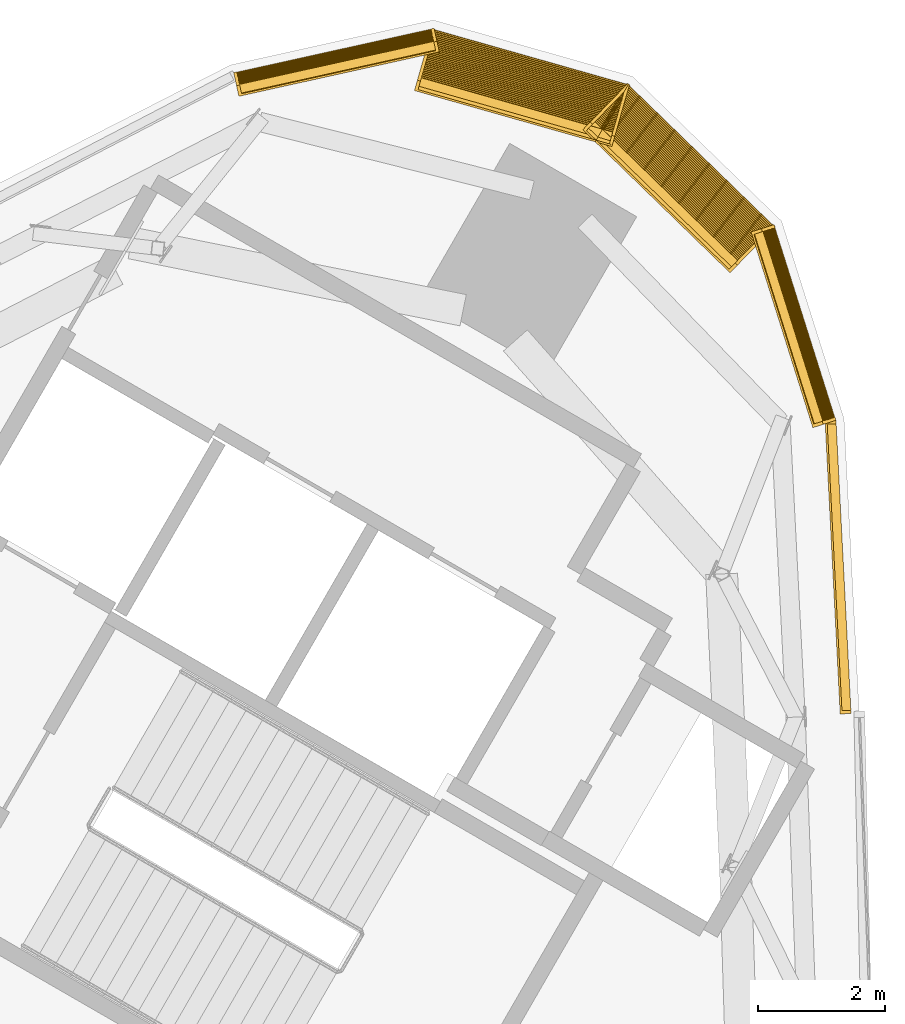
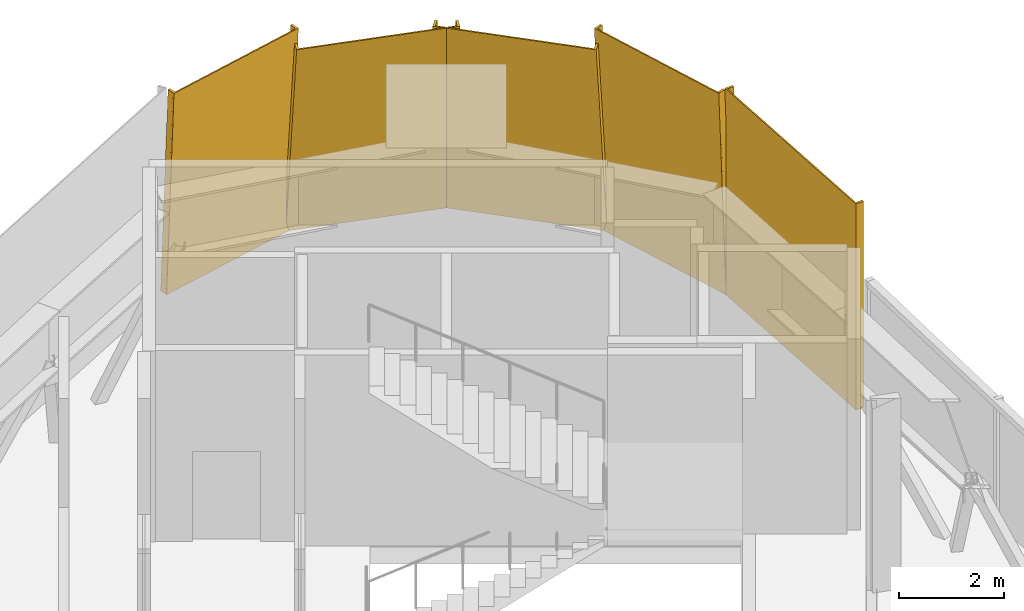
# One storey, part 18 of 18: 5 coverings.
"""IFC4 building model written with IfcOpenShell, lengths in metres."""

from ifc_helpers import new_model, si_unit, direction, frame, frame_2d, origin, place, context, subcontext, project, spatial, rectangle, extrude, source, transform, mapped, material, type_object, element, save


model = new_model("IFC4")

# Units and contexts
model_context = context("Model", 3, precision=1e-05, world=origin(), true_north=direction((0.0, 1.0)))
body_context = subcontext(model_context, "Body", "Model", "MODEL_VIEW")
ifc_project = project(units=[si_unit("LENGTHUNIT", "METRE"), si_unit("AREAUNIT", "SQUARE_METRE"), si_unit("VOLUMEUNIT", "CUBIC_METRE"), si_unit("PLANEANGLEUNIT", "RADIAN"), si_unit("MASSUNIT", "GRAM", prefix="KILO")], contexts=[model_context])

# Site, building, storey
site_placement = place(None, origin())
site = spatial("IfcSite", under=ifc_project, at=site_placement, CompositionType="ELEMENT")
building_placement = place(site_placement, origin())
building = spatial("IfcBuilding", under=site, at=building_placement, Name="Tamra Quay Hotel Tower", CompositionType="ELEMENT")
storey_placement = place(building_placement, frame((0.0, 0.0, 257.39990234375)))
storey = spatial("IfcBuildingStorey", under=building, at=storey_placement, Name="L65", CompositionType="ELEMENT", Elevation=257.39990234375)

# Coverings
ifc_material = material(Name="Terracotta louvre panel", Category="masonry")
covering_type_1 = type_object("IfcCoveringType", Name="PLANT LOUVRE H4800", PredefinedType="USERDEFINED", material=ifc_material)
shared_shape_1 = source(origin(), body_context, "Body", "SweptSolid", [
    extrude(rectangle(XDim=4.60009765625, YDim=0.030029296875, at=frame_2d((2.300048828125, 0.01513671875))), frame((-2.300048828125, -0.030029296875, 0.0)), (0.0, 0.0, 1.0), 4.800048828125),
    extrude(rectangle(XDim=0.050048828125, YDim=0.139892578125, at=frame_2d((0.02490234375, 0.06982421875))), frame((-2.300048828125, -0.169921875, 0.0)), (0.0, 0.0, 1.0), 4.800048828125),
    extrude(rectangle(XDim=0.050048828125, YDim=0.139892578125, at=frame_2d((0.02490234375, 0.06982421875))), frame((2.25, -0.169921875, 0.0)), (0.0, 0.0, 1.0), 4.800048828125),
    extrude(rectangle(XDim=4.5, YDim=0.139892578125, at=frame_2d((2.25, 0.06982421875))), frame((-2.25, -0.169921875, 0.050048828125)), (0.0, 0.0, 1.0), 0.034912109375),
    extrude(rectangle(XDim=4.5, YDim=0.139892578125, at=frame_2d((2.25, 0.06982421875))), frame((-2.25, -0.169921875, 0.2099609375)), (0.0, 0.0, 1.0), 0.034912109375),
    extrude(rectangle(XDim=4.5, YDim=0.139892578125, at=frame_2d((2.25, 0.06982421875))), frame((-2.25, -0.169921875, 0.3701171875)), (0.0, 0.0, 1.0), 0.034912109375),
    extrude(rectangle(XDim=4.5, YDim=0.139892578125, at=frame_2d((2.25, 0.06982421875))), frame((-2.25, -0.169921875, 0.530029296875)), (0.0, 0.0, 1.0), 0.034912109375),
    extrude(rectangle(XDim=4.5, YDim=0.139892578125, at=frame_2d((2.25, 0.06982421875))), frame((-2.25, -0.169921875, 0.68994140625)), (0.0, 0.0, 1.0), 0.034912109375),
    extrude(rectangle(XDim=4.5, YDim=0.139892578125, at=frame_2d((2.25, 0.06982421875))), frame((-2.25, -0.169921875, 0.85009765625)), (0.0, 0.0, 1.0), 0.034912109375),
    extrude(rectangle(XDim=4.5, YDim=0.139892578125, at=frame_2d((2.25, 0.06982421875))), frame((-2.25, -0.169921875, 1.010009765625)), (0.0, 0.0, 1.0), 0.034912109375),
    extrude(rectangle(XDim=4.5, YDim=0.139892578125, at=frame_2d((2.25, 0.06982421875))), frame((-2.25, -0.169921875, 1.169921875)), (0.0, 0.0, 1.0), 0.034912109375),
    extrude(rectangle(XDim=4.5, YDim=0.139892578125, at=frame_2d((2.25, 0.06982421875))), frame((-2.25, -0.169921875, 1.330078125)), (0.0, 0.0, 1.0), 0.034912109375),
    extrude(rectangle(XDim=4.5, YDim=0.139892578125, at=frame_2d((2.25, 0.06982421875))), frame((-2.25, -0.169921875, 1.489990234375)), (0.0, 0.0, 1.0), 0.034912109375),
    extrude(rectangle(XDim=4.5, YDim=0.139892578125, at=frame_2d((2.25, 0.06982421875))), frame((-2.25, -0.169921875, 1.64990234375)), (0.0, 0.0, 1.0), 0.034912109375),
    extrude(rectangle(XDim=4.5, YDim=0.139892578125, at=frame_2d((2.25, 0.06982421875))), frame((-2.25, -0.169921875, 1.81005859375)), (0.0, 0.0, 1.0), 0.034912109375),
    extrude(rectangle(XDim=4.5, YDim=0.139892578125, at=frame_2d((2.25, 0.06982421875))), frame((-2.25, -0.169921875, 1.969970703125)), (0.0, 0.0, 1.0), 0.034912109375),
    extrude(rectangle(XDim=4.5, YDim=0.139892578125, at=frame_2d((2.25, 0.06982421875))), frame((-2.25, -0.169921875, 2.1298828125)), (0.0, 0.0, 1.0), 0.034912109375),
    extrude(rectangle(XDim=4.5, YDim=0.139892578125, at=frame_2d((2.25, 0.06982421875))), frame((-2.25, -0.169921875, 2.2900390625)), (0.0, 0.0, 1.0), 0.034912109375),
    extrude(rectangle(XDim=4.5, YDim=0.139892578125, at=frame_2d((2.25, 0.06982421875))), frame((-2.25, -0.169921875, 2.449951171875)), (0.0, 0.0, 1.0), 0.034912109375),
    extrude(rectangle(XDim=4.5, YDim=0.139892578125, at=frame_2d((2.25, 0.06982421875))), frame((-2.25, -0.169921875, 2.610107421875)), (0.0, 0.0, 1.0), 0.034912109375),
    extrude(rectangle(XDim=4.5, YDim=0.139892578125, at=frame_2d((2.25, 0.06982421875))), frame((-2.25, -0.169921875, 2.77001953125)), (0.0, 0.0, 1.0), 0.034912109375),
    extrude(rectangle(XDim=4.5, YDim=0.139892578125, at=frame_2d((2.25, 0.06982421875))), frame((-2.25, -0.169921875, 2.929931640625)), (0.0, 0.0, 1.0), 0.034912109375),
    extrude(rectangle(XDim=4.5, YDim=0.139892578125, at=frame_2d((2.25, 0.06982421875))), frame((-2.25, -0.169921875, 3.090087890625)), (0.0, 0.0, 1.0), 0.034912109375),
    extrude(rectangle(XDim=4.5, YDim=0.139892578125, at=frame_2d((2.25, 0.06982421875))), frame((-2.25, -0.169921875, 3.25)), (0.0, 0.0, 1.0), 0.034912109375),
    extrude(rectangle(XDim=4.5, YDim=0.139892578125, at=frame_2d((2.25, 0.06982421875))), frame((-2.25, -0.169921875, 3.409912109375)), (0.0, 0.0, 1.0), 0.034912109375),
    extrude(rectangle(XDim=4.5, YDim=0.139892578125, at=frame_2d((2.25, 0.06982421875))), frame((-2.25, -0.169921875, 3.570068359375)), (0.0, 0.0, 1.0), 0.034912109375),
    extrude(rectangle(XDim=4.5, YDim=0.139892578125, at=frame_2d((2.25, 0.06982421875))), frame((-2.25, -0.169921875, 3.72998046875)), (0.0, 0.0, 1.0), 0.034912109375),
    extrude(rectangle(XDim=4.5, YDim=0.139892578125, at=frame_2d((2.25, 0.06982421875))), frame((-2.25, -0.169921875, 3.889892578125)), (0.0, 0.0, 1.0), 0.034912109375),
    extrude(rectangle(XDim=4.5, YDim=0.139892578125, at=frame_2d((2.25, 0.06982421875))), frame((-2.25, -0.169921875, 4.050048828125)), (0.0, 0.0, 1.0), 0.034912109375),
    extrude(rectangle(XDim=4.5, YDim=0.139892578125, at=frame_2d((2.25, 0.06982421875))), frame((-2.25, -0.169921875, 4.2099609375)), (0.0, 0.0, 1.0), 0.034912109375),
    extrude(rectangle(XDim=4.5, YDim=0.139892578125, at=frame_2d((2.25, 0.06982421875))), frame((-2.25, -0.169921875, 4.3701171875)), (0.0, 0.0, 1.0), 0.034912109375),
    extrude(rectangle(XDim=4.5, YDim=0.139892578125, at=frame_2d((2.25, 0.06982421875))), frame((-2.25, -0.169921875, 4.530029296875)), (0.0, 0.0, 1.0), 0.034912109375),
])
covering_placement = place(storey_placement, frame((16.944580078125, 16.217041015625, 0.0), z_axis=(0.0, 0.0, 1.0), x_axis=(-0.051403750609, 0.998677953308, 0.0)))
element("IfcCovering", 1, at=covering_placement, inside=storey, type_object=covering_type_1, Name="Plant louvre L65.E.f07s", ObjectType="LOUVER", PredefinedType="USERDEFINED", context=body_context, shape_type="MappedRepresentation", body=[
    mapped(shared_shape_1, transform((0.0, 0.0, 0.0), scale=1.0)),
])
covering_type_2 = type_object("IfcCoveringType", Name="PLANT LOUVRE H4805", PredefinedType="USERDEFINED", material=ifc_material)
shared_shape_2 = source(origin(), body_context, "Body", "SweptSolid", [
    extrude(rectangle(XDim=3.219970703125, YDim=0.030029296875, at=frame_2d((1.60986328125, 0.01513671875))), frame((-1.610107421875, -0.030029296875, 0.0)), (0.0, 0.0, 1.0), 4.804931640625),
    extrude(rectangle(XDim=0.050048828125, YDim=0.139892578125, at=frame_2d((0.02490234375, 0.06982421875))), frame((-1.610107421875, -0.169921875, 0.0)), (0.0, 0.0, 1.0), 4.804931640625),
    extrude(rectangle(XDim=0.050048828125, YDim=0.139892578125, at=frame_2d((0.02490234375, 0.06982421875))), frame((1.56005859375, -0.169921875, 0.0)), (0.0, 0.0, 1.0), 4.804931640625),
    extrude(rectangle(XDim=3.1201171875, YDim=0.139892578125, at=frame_2d((1.56005859375, 0.06982421875))), frame((-1.56005859375, -0.169921875, 0.050048828125)), (0.0, 0.0, 1.0), 0.034912109375),
    extrude(rectangle(XDim=3.1201171875, YDim=0.139892578125, at=frame_2d((1.56005859375, 0.06982421875))), frame((-1.56005859375, -0.169921875, 0.2099609375)), (0.0, 0.0, 1.0), 0.034912109375),
    extrude(rectangle(XDim=3.1201171875, YDim=0.139892578125, at=frame_2d((1.56005859375, 0.06982421875))), frame((-1.56005859375, -0.169921875, 0.3701171875)), (0.0, 0.0, 1.0), 0.034912109375),
    extrude(rectangle(XDim=3.1201171875, YDim=0.139892578125, at=frame_2d((1.56005859375, 0.06982421875))), frame((-1.56005859375, -0.169921875, 0.530029296875)), (0.0, 0.0, 1.0), 0.034912109375),
    extrude(rectangle(XDim=3.1201171875, YDim=0.139892578125, at=frame_2d((1.56005859375, 0.06982421875))), frame((-1.56005859375, -0.169921875, 0.68994140625)), (0.0, 0.0, 1.0), 0.034912109375),
    extrude(rectangle(XDim=3.1201171875, YDim=0.139892578125, at=frame_2d((1.56005859375, 0.06982421875))), frame((-1.56005859375, -0.169921875, 0.85009765625)), (0.0, 0.0, 1.0), 0.034912109375),
    extrude(rectangle(XDim=3.1201171875, YDim=0.139892578125, at=frame_2d((1.56005859375, 0.06982421875))), frame((-1.56005859375, -0.169921875, 1.010009765625)), (0.0, 0.0, 1.0), 0.034912109375),
    extrude(rectangle(XDim=3.1201171875, YDim=0.139892578125, at=frame_2d((1.56005859375, 0.06982421875))), frame((-1.56005859375, -0.169921875, 1.169921875)), (0.0, 0.0, 1.0), 0.034912109375),
    extrude(rectangle(XDim=3.1201171875, YDim=0.139892578125, at=frame_2d((1.56005859375, 0.06982421875))), frame((-1.56005859375, -0.169921875, 1.330078125)), (0.0, 0.0, 1.0), 0.034912109375),
    extrude(rectangle(XDim=3.1201171875, YDim=0.139892578125, at=frame_2d((1.56005859375, 0.06982421875))), frame((-1.56005859375, -0.169921875, 1.489990234375)), (0.0, 0.0, 1.0), 0.034912109375),
    extrude(rectangle(XDim=3.1201171875, YDim=0.139892578125, at=frame_2d((1.56005859375, 0.06982421875))), frame((-1.56005859375, -0.169921875, 1.64990234375)), (0.0, 0.0, 1.0), 0.034912109375),
    extrude(rectangle(XDim=3.1201171875, YDim=0.139892578125, at=frame_2d((1.56005859375, 0.06982421875))), frame((-1.56005859375, -0.169921875, 1.81005859375)), (0.0, 0.0, 1.0), 0.034912109375),
    extrude(rectangle(XDim=3.1201171875, YDim=0.139892578125, at=frame_2d((1.56005859375, 0.06982421875))), frame((-1.56005859375, -0.169921875, 1.969970703125)), (0.0, 0.0, 1.0), 0.034912109375),
    extrude(rectangle(XDim=3.1201171875, YDim=0.139892578125, at=frame_2d((1.56005859375, 0.06982421875))), frame((-1.56005859375, -0.169921875, 2.1298828125)), (0.0, 0.0, 1.0), 0.034912109375),
    extrude(rectangle(XDim=3.1201171875, YDim=0.139892578125, at=frame_2d((1.56005859375, 0.06982421875))), frame((-1.56005859375, -0.169921875, 2.2900390625)), (0.0, 0.0, 1.0), 0.034912109375),
    extrude(rectangle(XDim=3.1201171875, YDim=0.139892578125, at=frame_2d((1.56005859375, 0.06982421875))), frame((-1.56005859375, -0.169921875, 2.449951171875)), (0.0, 0.0, 1.0), 0.034912109375),
    extrude(rectangle(XDim=3.1201171875, YDim=0.139892578125, at=frame_2d((1.56005859375, 0.06982421875))), frame((-1.56005859375, -0.169921875, 2.610107421875)), (0.0, 0.0, 1.0), 0.034912109375),
    extrude(rectangle(XDim=3.1201171875, YDim=0.139892578125, at=frame_2d((1.56005859375, 0.06982421875))), frame((-1.56005859375, -0.169921875, 2.77001953125)), (0.0, 0.0, 1.0), 0.034912109375),
    extrude(rectangle(XDim=3.1201171875, YDim=0.139892578125, at=frame_2d((1.56005859375, 0.06982421875))), frame((-1.56005859375, -0.169921875, 2.929931640625)), (0.0, 0.0, 1.0), 0.034912109375),
    extrude(rectangle(XDim=3.1201171875, YDim=0.139892578125, at=frame_2d((1.56005859375, 0.06982421875))), frame((-1.56005859375, -0.169921875, 3.090087890625)), (0.0, 0.0, 1.0), 0.034912109375),
    extrude(rectangle(XDim=3.1201171875, YDim=0.139892578125, at=frame_2d((1.56005859375, 0.06982421875))), frame((-1.56005859375, -0.169921875, 3.25)), (0.0, 0.0, 1.0), 0.034912109375),
    extrude(rectangle(XDim=3.1201171875, YDim=0.139892578125, at=frame_2d((1.56005859375, 0.06982421875))), frame((-1.56005859375, -0.169921875, 3.409912109375)), (0.0, 0.0, 1.0), 0.034912109375),
    extrude(rectangle(XDim=3.1201171875, YDim=0.139892578125, at=frame_2d((1.56005859375, 0.06982421875))), frame((-1.56005859375, -0.169921875, 3.570068359375)), (0.0, 0.0, 1.0), 0.034912109375),
    extrude(rectangle(XDim=3.1201171875, YDim=0.139892578125, at=frame_2d((1.56005859375, 0.06982421875))), frame((-1.56005859375, -0.169921875, 3.72998046875)), (0.0, 0.0, 1.0), 0.034912109375),
    extrude(rectangle(XDim=3.1201171875, YDim=0.139892578125, at=frame_2d((1.56005859375, 0.06982421875))), frame((-1.56005859375, -0.169921875, 3.889892578125)), (0.0, 0.0, 1.0), 0.034912109375),
    extrude(rectangle(XDim=3.1201171875, YDim=0.139892578125, at=frame_2d((1.56005859375, 0.06982421875))), frame((-1.56005859375, -0.169921875, 4.050048828125)), (0.0, 0.0, 1.0), 0.034912109375),
    extrude(rectangle(XDim=3.1201171875, YDim=0.139892578125, at=frame_2d((1.56005859375, 0.06982421875))), frame((-1.56005859375, -0.169921875, 4.2099609375)), (0.0, 0.0, 1.0), 0.034912109375),
    extrude(rectangle(XDim=3.1201171875, YDim=0.139892578125, at=frame_2d((1.56005859375, 0.06982421875))), frame((-1.56005859375, -0.169921875, 4.3701171875)), (0.0, 0.0, 1.0), 0.034912109375),
    extrude(rectangle(XDim=3.1201171875, YDim=0.139892578125, at=frame_2d((1.56005859375, 0.06982421875))), frame((-1.56005859375, -0.169921875, 4.530029296875)), (0.0, 0.0, 1.0), 0.034912109375),
])
for number, where, z_axis, x_axis, name in (
    (2, (16.34912109375, 20.010986328125, 0.0), (-0.041597836107, -0.013125204202, 0.999048221582), (-0.30090299279, 0.95365475353, 0.0), "Plant louvre L65.E.c00"),
    (3, (9.155517578125, 24.164306640625, 0.0), (0.009432157785, -0.042587384912, 0.999048221582), (-0.976340739392, -0.216237740934, 0.0), "Plant louvre L65.E.c03"),
):
    element("IfcCovering", number, at=place(storey_placement, frame(where, z_axis=z_axis, x_axis=x_axis)), inside=storey, type_object=covering_type_2, Name=name, ObjectType="LOUVER", PredefinedType="USERDEFINED", context=body_context, shape_type="MappedRepresentation", body=[
        mapped(shared_shape_2, transform((0.0, 0.0, 0.0), scale=1.0)),
    ])
covering_type_3 = type_object("IfcCoveringType", Name="PLANT LOUVRE H4874", PredefinedType="USERDEFINED", material=ifc_material)
shared_shape_3 = source(origin(), body_context, "Body", "SweptSolid", [
    extrude(rectangle(XDim=3.219970703125, YDim=0.030029296875, at=frame_2d((1.60986328125, 0.01513671875))), frame((-1.610107421875, -0.030029296875, 0.0)), (0.0, 0.0, 1.0), 4.8740234375),
    extrude(rectangle(XDim=0.050048828125, YDim=0.139892578125, at=frame_2d((0.02490234375, 0.06982421875))), frame((-1.610107421875, -0.169921875, 0.0)), (0.0, 0.0, 1.0), 4.8740234375),
    extrude(rectangle(XDim=0.050048828125, YDim=0.139892578125, at=frame_2d((0.02490234375, 0.06982421875))), frame((1.56005859375, -0.169921875, 0.0)), (0.0, 0.0, 1.0), 4.8740234375),
    extrude(rectangle(XDim=3.1201171875, YDim=0.139892578125, at=frame_2d((1.56005859375, 0.06982421875))), frame((-1.56005859375, -0.169921875, 0.050048828125)), (0.0, 0.0, 1.0), 0.034912109375),
    extrude(rectangle(XDim=3.1201171875, YDim=0.139892578125, at=frame_2d((1.56005859375, 0.06982421875))), frame((-1.56005859375, -0.169921875, 0.2099609375)), (0.0, 0.0, 1.0), 0.034912109375),
    extrude(rectangle(XDim=3.1201171875, YDim=0.139892578125, at=frame_2d((1.56005859375, 0.06982421875))), frame((-1.56005859375, -0.169921875, 0.3701171875)), (0.0, 0.0, 1.0), 0.034912109375),
    extrude(rectangle(XDim=3.1201171875, YDim=0.139892578125, at=frame_2d((1.56005859375, 0.06982421875))), frame((-1.56005859375, -0.169921875, 0.530029296875)), (0.0, 0.0, 1.0), 0.034912109375),
    extrude(rectangle(XDim=3.1201171875, YDim=0.139892578125, at=frame_2d((1.56005859375, 0.06982421875))), frame((-1.56005859375, -0.169921875, 0.68994140625)), (0.0, 0.0, 1.0), 0.034912109375),
    extrude(rectangle(XDim=3.1201171875, YDim=0.139892578125, at=frame_2d((1.56005859375, 0.06982421875))), frame((-1.56005859375, -0.169921875, 0.85009765625)), (0.0, 0.0, 1.0), 0.034912109375),
    extrude(rectangle(XDim=3.1201171875, YDim=0.139892578125, at=frame_2d((1.56005859375, 0.06982421875))), frame((-1.56005859375, -0.169921875, 1.010009765625)), (0.0, 0.0, 1.0), 0.034912109375),
    extrude(rectangle(XDim=3.1201171875, YDim=0.139892578125, at=frame_2d((1.56005859375, 0.06982421875))), frame((-1.56005859375, -0.169921875, 1.169921875)), (0.0, 0.0, 1.0), 0.034912109375),
    extrude(rectangle(XDim=3.1201171875, YDim=0.139892578125, at=frame_2d((1.56005859375, 0.06982421875))), frame((-1.56005859375, -0.169921875, 1.330078125)), (0.0, 0.0, 1.0), 0.034912109375),
    extrude(rectangle(XDim=3.1201171875, YDim=0.139892578125, at=frame_2d((1.56005859375, 0.06982421875))), frame((-1.56005859375, -0.169921875, 1.489990234375)), (0.0, 0.0, 1.0), 0.034912109375),
    extrude(rectangle(XDim=3.1201171875, YDim=0.139892578125, at=frame_2d((1.56005859375, 0.06982421875))), frame((-1.56005859375, -0.169921875, 1.64990234375)), (0.0, 0.0, 1.0), 0.034912109375),
    extrude(rectangle(XDim=3.1201171875, YDim=0.139892578125, at=frame_2d((1.56005859375, 0.06982421875))), frame((-1.56005859375, -0.169921875, 1.81005859375)), (0.0, 0.0, 1.0), 0.034912109375),
    extrude(rectangle(XDim=3.1201171875, YDim=0.139892578125, at=frame_2d((1.56005859375, 0.06982421875))), frame((-1.56005859375, -0.169921875, 1.969970703125)), (0.0, 0.0, 1.0), 0.034912109375),
    extrude(rectangle(XDim=3.1201171875, YDim=0.139892578125, at=frame_2d((1.56005859375, 0.06982421875))), frame((-1.56005859375, -0.169921875, 2.1298828125)), (0.0, 0.0, 1.0), 0.034912109375),
    extrude(rectangle(XDim=3.1201171875, YDim=0.139892578125, at=frame_2d((1.56005859375, 0.06982421875))), frame((-1.56005859375, -0.169921875, 2.2900390625)), (0.0, 0.0, 1.0), 0.034912109375),
    extrude(rectangle(XDim=3.1201171875, YDim=0.139892578125, at=frame_2d((1.56005859375, 0.06982421875))), frame((-1.56005859375, -0.169921875, 2.449951171875)), (0.0, 0.0, 1.0), 0.034912109375),
    extrude(rectangle(XDim=3.1201171875, YDim=0.139892578125, at=frame_2d((1.56005859375, 0.06982421875))), frame((-1.56005859375, -0.169921875, 2.610107421875)), (0.0, 0.0, 1.0), 0.034912109375),
    extrude(rectangle(XDim=3.1201171875, YDim=0.139892578125, at=frame_2d((1.56005859375, 0.06982421875))), frame((-1.56005859375, -0.169921875, 2.77001953125)), (0.0, 0.0, 1.0), 0.034912109375),
    extrude(rectangle(XDim=3.1201171875, YDim=0.139892578125, at=frame_2d((1.56005859375, 0.06982421875))), frame((-1.56005859375, -0.169921875, 2.929931640625)), (0.0, 0.0, 1.0), 0.034912109375),
    extrude(rectangle(XDim=3.1201171875, YDim=0.139892578125, at=frame_2d((1.56005859375, 0.06982421875))), frame((-1.56005859375, -0.169921875, 3.090087890625)), (0.0, 0.0, 1.0), 0.034912109375),
    extrude(rectangle(XDim=3.1201171875, YDim=0.139892578125, at=frame_2d((1.56005859375, 0.06982421875))), frame((-1.56005859375, -0.169921875, 3.25)), (0.0, 0.0, 1.0), 0.034912109375),
    extrude(rectangle(XDim=3.1201171875, YDim=0.139892578125, at=frame_2d((1.56005859375, 0.06982421875))), frame((-1.56005859375, -0.169921875, 3.409912109375)), (0.0, 0.0, 1.0), 0.034912109375),
    extrude(rectangle(XDim=3.1201171875, YDim=0.139892578125, at=frame_2d((1.56005859375, 0.06982421875))), frame((-1.56005859375, -0.169921875, 3.570068359375)), (0.0, 0.0, 1.0), 0.034912109375),
    extrude(rectangle(XDim=3.1201171875, YDim=0.139892578125, at=frame_2d((1.56005859375, 0.06982421875))), frame((-1.56005859375, -0.169921875, 3.72998046875)), (0.0, 0.0, 1.0), 0.034912109375),
    extrude(rectangle(XDim=3.1201171875, YDim=0.139892578125, at=frame_2d((1.56005859375, 0.06982421875))), frame((-1.56005859375, -0.169921875, 3.889892578125)), (0.0, 0.0, 1.0), 0.034912109375),
    extrude(rectangle(XDim=3.1201171875, YDim=0.139892578125, at=frame_2d((1.56005859375, 0.06982421875))), frame((-1.56005859375, -0.169921875, 4.050048828125)), (0.0, 0.0, 1.0), 0.034912109375),
    extrude(rectangle(XDim=3.1201171875, YDim=0.139892578125, at=frame_2d((1.56005859375, 0.06982421875))), frame((-1.56005859375, -0.169921875, 4.2099609375)), (0.0, 0.0, 1.0), 0.034912109375),
    extrude(rectangle(XDim=3.1201171875, YDim=0.139892578125, at=frame_2d((1.56005859375, 0.06982421875))), frame((-1.56005859375, -0.169921875, 4.3701171875)), (0.0, 0.0, 1.0), 0.034912109375),
    extrude(rectangle(XDim=3.1201171875, YDim=0.139892578125, at=frame_2d((1.56005859375, 0.06982421875))), frame((-1.56005859375, -0.169921875, 4.530029296875)), (0.0, 0.0, 1.0), 0.034912109375),
])
for number, where, z_axis, x_axis, name in (
    (4, (14.76904296875, 22.57177734375, 0.0), (-0.120980418279, -0.124568968849, 0.984807753012), (-0.717364100925, 0.696698461821, 0.0), "Plant louvre L65.E.c01"),
    (5, (12.163330078125, 24.076416015625, 0.0), (-0.047389682407, -0.167056600014, 0.984807753012), (-0.962040617177, 0.272906304254, 0.0), "Plant louvre L65.E.c02"),
):
    element("IfcCovering", number, at=place(storey_placement, frame(where, z_axis=z_axis, x_axis=x_axis)), inside=storey, type_object=covering_type_3, Name=name, ObjectType="LOUVER", PredefinedType="USERDEFINED", context=body_context, shape_type="MappedRepresentation", body=[
        mapped(shared_shape_3, transform((0.0, 0.0, 0.0), scale=1.0)),
    ])

save(model, "model.ifc")
